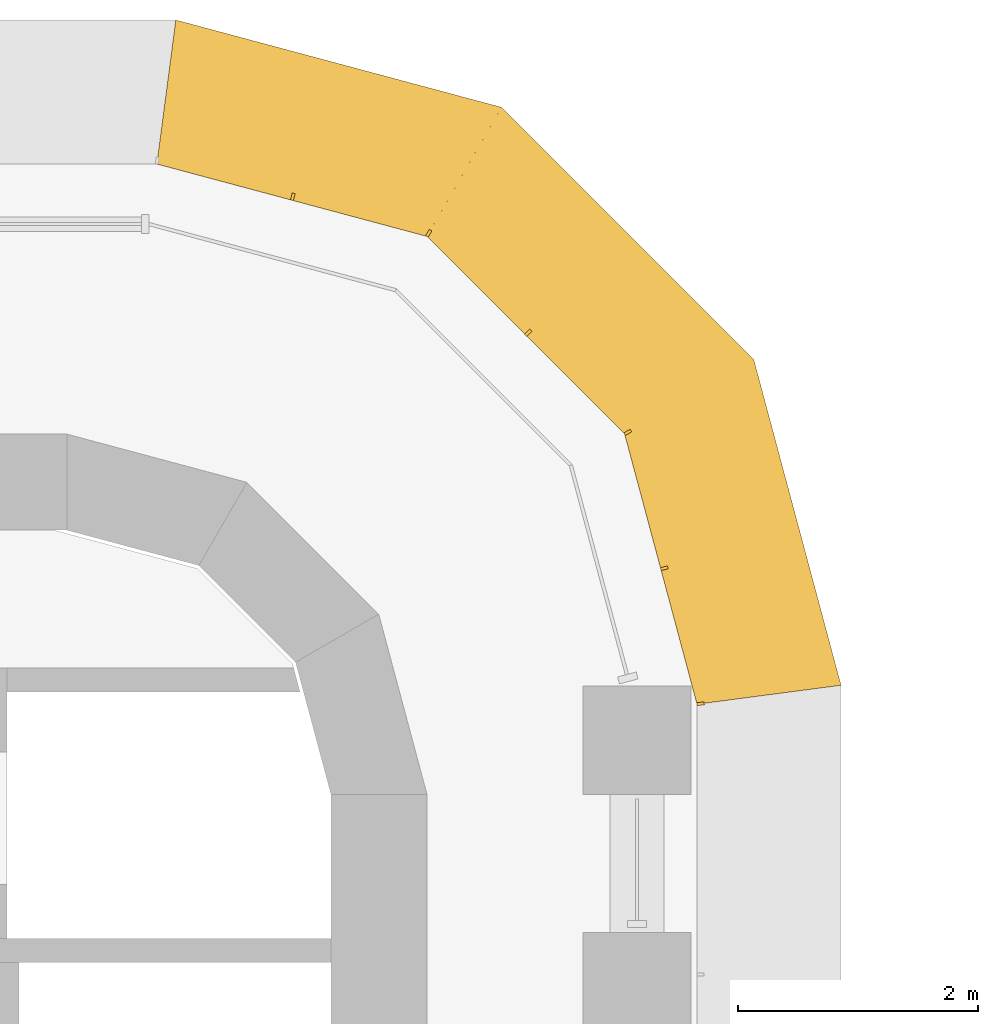
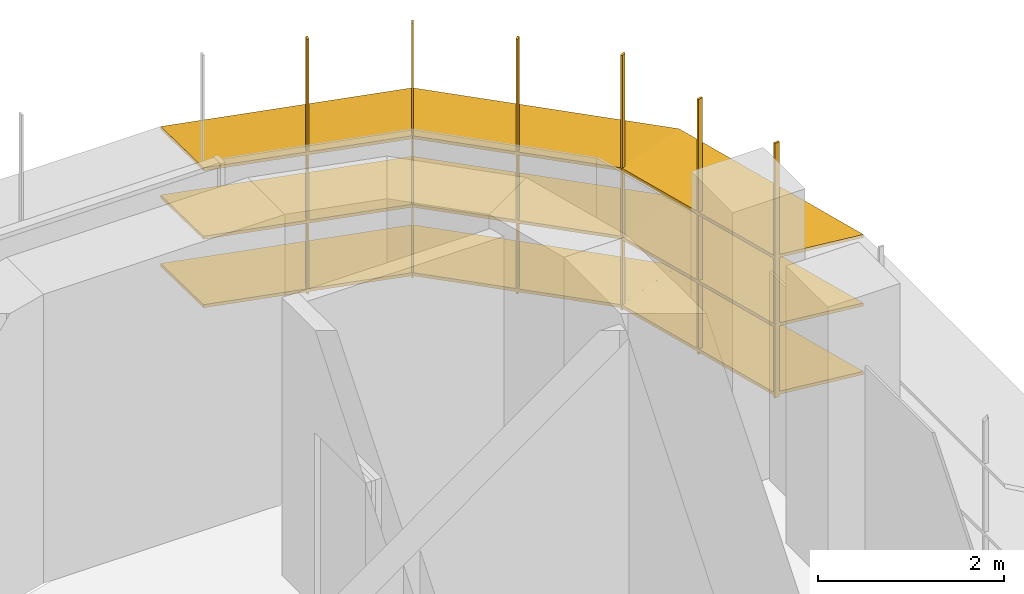
# One storey, part 21 of 21: 1 shading device.
"""IFC4 building model written with IfcOpenShell, lengths in metres."""

from ifc_helpers import new_model, si_unit, direction, frame, origin, place, context, subcontext, project, spatial, polyline, outline, extrude, faceted_brep, source, transform, mapped, material, type_object, element, save


model = new_model("IFC4")

# Units and contexts
model_context = context("Model", 3, precision=1e-05, world=origin(), true_north=direction((0.0, 1.0)))
body_context = subcontext(model_context, "Body", "Model", "MODEL_VIEW")
ifc_project = project(units=[si_unit("LENGTHUNIT", "METRE"), si_unit("AREAUNIT", "SQUARE_METRE"), si_unit("VOLUMEUNIT", "CUBIC_METRE"), si_unit("PLANEANGLEUNIT", "RADIAN"), si_unit("MASSUNIT", "GRAM", prefix="KILO")], contexts=[model_context])

# Site, building, storey
site_placement = place(None, origin())
site = spatial("IfcSite", under=ifc_project, at=site_placement, CompositionType="ELEMENT")
building_placement = place(site_placement, origin())
building = spatial("IfcBuilding", under=site, at=building_placement, Name="Zarbagh Exchange Tower", CompositionType="ELEMENT")
storey_placement = place(building_placement, frame((0.0, 0.0, 128.39990234375)))
storey = spatial("IfcBuildingStorey", under=building, at=storey_placement, Name="L30", CompositionType="ELEMENT", Elevation=128.39990234375)

# Shading device
ifc_material = material(Name="Anodised aluminium blades and brackets", Category="aluminium")
shading_device_type = type_object("IfcShadingDeviceType", Name="SUNSHADE louvre band, 11.25 degree blades", PredefinedType="JALOUSIE", material=ifc_material)
shared_shape_1 = source(origin(), body_context, "Body", "Brep", [
    faceted_brep([(0.0, 0.0, 0.0), (0.0, 0.0, -0.040771484375), (-0.157958984375, -1.199951171875, -0.279541015625), (-0.157958984375, -1.199951171875, -0.23876953125), (2.65087890625, -1.199951171875, -0.23876953125), (2.65087890625, -1.199951171875, -0.279541015625), (2.329345703125, 0.0, -0.040771484375), (2.329345703125, 0.0, 0.0)], [[[0, 1, 2, 3]], [[4, 5, 6, 7]], [[0, 7, 6, 1]], [[1, 6, 5, 2]], [[2, 5, 4, 3]], [[3, 4, 7, 0]]]),
])
shared_shape_2 = source(origin(), body_context, "Body", "Brep", [
    faceted_brep([(0.0, 0.0, 0.0), (0.0, 0.0, -0.040771484375), (-0.321533203125, -1.199951171875, -0.279541015625), (-0.321533203125, -1.199951171875, -0.23876953125), (2.65087890625, -1.199951171875, -0.23876953125), (2.65087890625, -1.199951171875, -0.279541015625), (2.329345703125, 0.0, -0.040771484375), (2.329345703125, 0.0, 0.0)], [[[0, 1, 2, 3]], [[4, 5, 6, 7]], [[0, 7, 6, 1]], [[1, 6, 5, 2]], [[2, 5, 4, 3]], [[3, 4, 7, 0]]]),
])
shared_shape_3 = source(origin(), body_context, "Body", "Brep", [
    faceted_brep([(0.0, 0.0, 0.0), (0.0, 0.0, -0.040771484375), (-0.321533203125, -1.199951171875, -0.279541015625), (-0.321533203125, -1.199951171875, -0.23876953125), (2.4873046875, -1.199951171875, -0.23876953125), (2.4873046875, -1.199951171875, -0.279541015625), (2.329345703125, 0.0, -0.040771484375), (2.329345703125, 0.0, 0.0)], [[[0, 1, 2, 3]], [[4, 5, 6, 7]], [[0, 7, 6, 1]], [[1, 6, 5, 2]], [[2, 5, 4, 3]], [[3, 4, 7, 0]]]),
])
shared_shape_4 = source(origin(), body_context, "Body", "SweptSolid", [
    extrude(outline(polyline([(0.0, -0.012451171875), (0.06005859375, -0.012451171875), (0.06005859375, 0.012451171875), (0.0, 0.012451171875), (0.0, -0.012451171875)])), origin(), (0.0, 0.0, 1.0), 3.350830078125),
])
shading_device_placement = place(storey_placement, origin())
element("IfcShadingDevice", 1, at=shading_device_placement, inside=storey, type_object=shading_device_type, Name="SS26 sunshade band", PredefinedType="JALOUSIE", context=body_context, shape_type="MappedRepresentation", body=[
    mapped(shared_shape_1, transform((6.75, 27.0, 2.300048828125), x_axis=(-0.258824779902, 0.965924289636, 0.0), y_axis=(-0.965924289636, -0.258824779902, 0.0), z_axis=(0.0, 0.0, 1.0))),
    mapped(shared_shape_1, transform((6.75, 27.0, 1.400146484375), x_axis=(-0.258824779902, 0.965924289636, 0.0), y_axis=(-0.965924289636, -0.258824779902, 0.0), z_axis=(0.0, 0.0, 1.0))),
    mapped(shared_shape_1, transform((6.75, 27.0, 0.5), x_axis=(-0.258824779902, 0.965924289636, 0.0), y_axis=(-0.965924289636, -0.258824779902, 0.0), z_axis=(0.0, 0.0, 1.0))),
    mapped(shared_shape_2, transform((6.147216796875, 29.25, 2.300048828125), x_axis=(-0.707106781187, 0.707106781187, 0.0), y_axis=(-0.707106781187, -0.707106781187, 0.0), z_axis=(0.0, 0.0, 1.0))),
    mapped(shared_shape_2, transform((6.147216796875, 29.25, 1.400146484375), x_axis=(-0.707106781187, 0.707106781187, 0.0), y_axis=(-0.707106781187, -0.707106781187, 0.0), z_axis=(0.0, 0.0, 1.0))),
    mapped(shared_shape_2, transform((6.147216796875, 29.25, 0.5), x_axis=(-0.707106781187, 0.707106781187, 0.0), y_axis=(-0.707106781187, -0.707106781187, 0.0), z_axis=(0.0, 0.0, 1.0))),
    mapped(shared_shape_3, transform((4.5, 30.897216796875, 2.300048828125), x_axis=(-0.965924289636, 0.258824779902, 0.0), y_axis=(-0.258824779902, -0.965924289636, 0.0), z_axis=(0.0, 0.0, 1.0))),
    mapped(shared_shape_3, transform((4.5, 30.897216796875, 1.400146484375), x_axis=(-0.965924289636, 0.258824779902, 0.0), y_axis=(-0.258824779902, -0.965924289636, 0.0), z_axis=(0.0, 0.0, 1.0))),
    mapped(shared_shape_3, transform((4.5, 30.897216796875, 0.5), x_axis=(-0.965924289636, 0.258824779902, 0.0), y_axis=(-0.258824779902, -0.965924289636, 0.0), z_axis=(0.0, 0.0, 1.0))),
    mapped(shared_shape_4, transform((6.75, 27.0, 0.42919921875), x_axis=(0.991444457092, 0.130529263012, 0.0), y_axis=(-0.130529263012, 0.991444457092, 0.0), z_axis=(0.0, 0.0, 1.0))),
    mapped(shared_shape_4, transform((6.448486328125, 28.125, 0.42919921875), x_axis=(0.96592421511, 0.258825058029, 0.0), y_axis=(-0.258825058029, 0.96592421511, 0.0), z_axis=(0.0, 0.0, 1.0))),
    mapped(shared_shape_4, transform((6.147216796875, 29.25, 0.42919921875), x_axis=(0.866023812018, 0.50000275701, 0.0), y_axis=(-0.50000275701, 0.866023812018, 0.0), z_axis=(0.0, 0.0, 1.0))),
    mapped(shared_shape_4, transform((5.323486328125, 30.073486328125, 0.42919921875), x_axis=(0.707106781187, 0.707106781187, 0.0), y_axis=(-0.707106781187, 0.707106781187, 0.0), z_axis=(0.0, 0.0, 1.0))),
    mapped(shared_shape_4, transform((4.5, 30.897216796875, 0.42919921875), x_axis=(0.50000275701, 0.866023812018, 0.0), y_axis=(-0.866023812018, 0.50000275701, 0.0), z_axis=(0.0, 0.0, 1.0))),
    mapped(shared_shape_4, transform((3.375, 31.198486328125, 0.42919921875), x_axis=(0.258825058029, 0.96592421511, 0.0), y_axis=(-0.96592421511, 0.258825058029, 0.0), z_axis=(0.0, 0.0, 1.0))),
])

save(model, "model.ifc")
